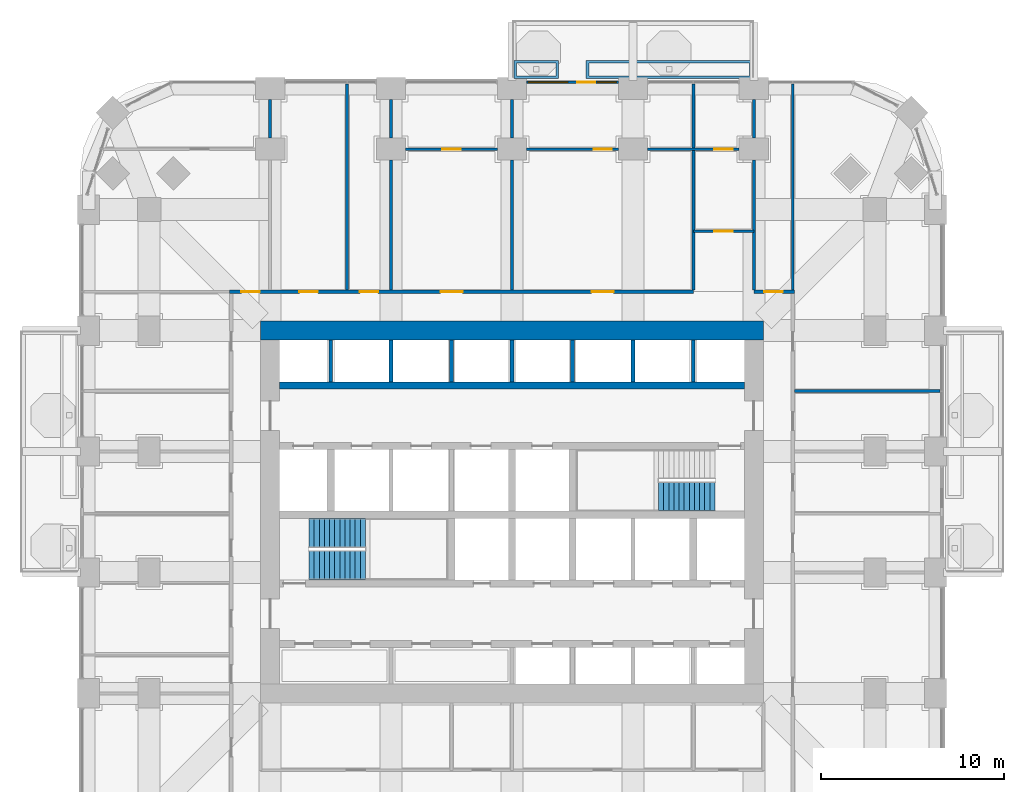
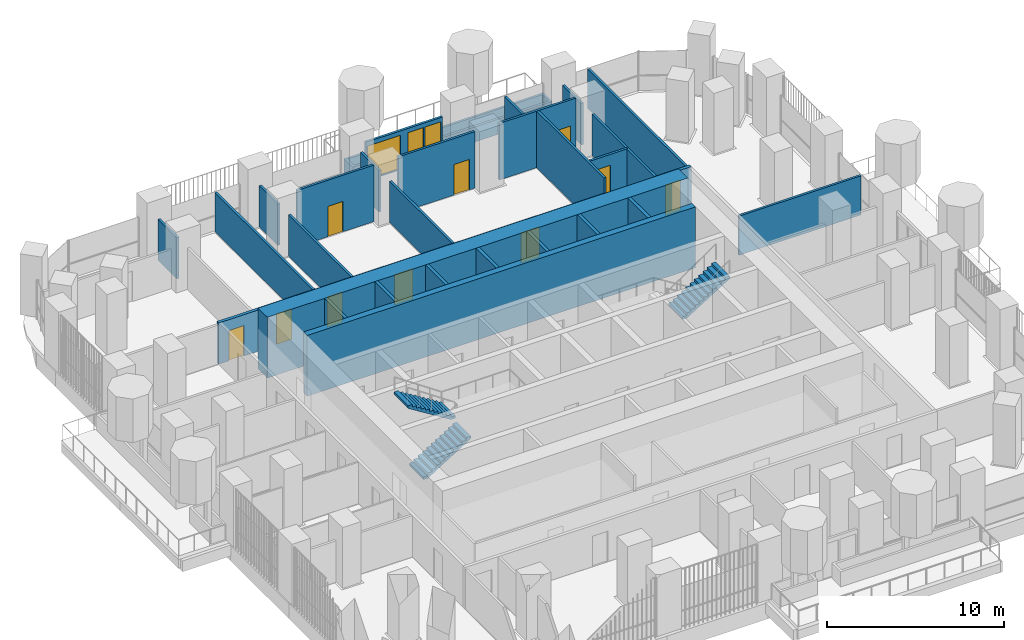
# One storey, part 17 of 23: 30 walls, 11 doors, 3 stair flights, 2 windows, 13 openings, 2 elements without a shape of their own.
"""IFC4 building model written with IfcOpenShell, lengths in metres."""

from ifc_helpers import new_model, si_unit, direction, frame, frame_2d, origin, place, context, subcontext, project, spatial, polyline, rectangle, outline, extrude, material, layer, layer_set, type_object, element, fill, aggregate, save


model = new_model("IFC4")

# Units and contexts
model_context = context("Model", 3, precision=1e-05, world=origin(), true_north=direction((0.0, 1.0)))
body_context = subcontext(model_context, "Body", "Model", "MODEL_VIEW")
ifc_project = project(units=[si_unit("LENGTHUNIT", "METRE"), si_unit("AREAUNIT", "SQUARE_METRE"), si_unit("VOLUMEUNIT", "CUBIC_METRE"), si_unit("PLANEANGLEUNIT", "RADIAN"), si_unit("MASSUNIT", "GRAM", prefix="KILO")], contexts=[model_context])

# Site, building, storey
site_placement = place(None, origin())
site = spatial("IfcSite", under=ifc_project, at=site_placement, CompositionType="ELEMENT")
building_placement = place(site_placement, origin())
building = spatial("IfcBuilding", under=site, at=building_placement, Name="Cobogo Forest Laboratory Tower", CompositionType="ELEMENT")
storey_placement = place(building_placement, frame((0.0, 0.0, 103.199951171875)))
storey = spatial("IfcBuildingStorey", under=building, at=storey_placement, Name="L23", CompositionType="ELEMENT", Elevation=103.199951171875)

# Walls
ifc_material_1 = material(Name="Concrete HA-50 (C50/60)", Category="concrete")
ifc_layer_1 = layer(ifc_material_1, 0.39990234375)
ifc_layer_set_1 = layer_set([ifc_layer_1], Name="CI400 core inner wall 400")
wall_type_1 = type_object("IfcWallType", Name="CI400 core inner wall 400", PredefinedType="SHEAR", material=ifc_layer_set_1)
wall_1_placement = place(storey_placement, frame((13.72509765625, 30.0, 0.0), z_axis=(0.0, 0.0, 1.0), x_axis=(1.0, 0.0, 0.0)))
element("IfcWall", 1, at=wall_1_placement, inside=storey, type_object=wall_type_1, Name="Core wall CI-30.0 L23", PredefinedType="SHEAR", context=body_context, shape_type="SweptSolid", body=[
    extrude(rectangle(XDim=25.349853515625, YDim=0.39990234375, at=frame_2d((12.6748046875, 0.0))), origin(), (0.0, 0.0, 1.0), 4.199951171875),
])
ifc_layer_2 = layer(ifc_material_1, 1.050048828125)
ifc_layer_set_2 = layer_set([ifc_layer_2], Name="CW1050 core outer wall 1050")
wall_type_2 = type_object("IfcWallType", Name="CW1050 core outer wall 1050", PredefinedType="SHEAR", material=ifc_layer_set_2)
wall_2_placement = place(storey_placement, frame((40.125, 33.0, 0.0), z_axis=(0.0, 0.0, 1.0), x_axis=(-1.0, 0.0, 0.0)))
element("IfcWall", 2, at=wall_2_placement, inside=storey, type_object=wall_type_2, Name="Core wall CO-N L23", PredefinedType="SHEAR", context=body_context, shape_type="SweptSolid", body=[
    extrude(rectangle(XDim=27.449951171875, YDim=1.050048828125, at=frame_2d((13.72509765625, 0.0))), origin(), (0.0, 0.0, 1.0), 4.199951171875),
])

# Wall, openings, door, windows
ifc_material_2 = material(Name="Aluminium framed glazed screen", Category="aluminium")
ifc_layer_3 = layer(ifc_material_2, 0.14990234375)
ifc_layer_set_3 = layer_set([ifc_layer_3], Name="GS1 glazed door screen 150")
wall_type_3 = type_object("IfcWallType", Name="GS1 glazed door screen 150", PredefinedType="SOLIDWALL", material=ifc_layer_set_3)
wall_3_placement = place(storey_placement, frame((32.199951171875, 46.550048828125, 0.0), z_axis=(0.0, 0.0, 1.0), x_axis=(-1.0, 0.0, 0.0)))
wall_3 = element("IfcWall", 3, at=wall_3_placement, inside=storey, type_object=wall_type_3, Name="Door screen BAL-N1 L23", PredefinedType="SOLIDWALL", context=body_context, shape_type="SweptSolid", body=[
    extrude(rectangle(XDim=5.0, YDim=0.14990234375, at=frame_2d((2.5, 0.0))), origin(), (0.0, 0.0, 1.0), 2.699951171875),
])
opening_1_placement = place(wall_3_placement, frame((1.25, 0.0, 0.0)))
opening_1 = element("IfcOpeningElement", 4, at=opening_1_placement, cuts=wall_3, Name="Opening L23-D48", PredefinedType="OPENING", context=body_context, shape_type="SweptSolid", body=[
    extrude(rectangle(XDim=1.0, YDim=2.39990234375, at=frame_2d((0.5, 1.199951171875))), frame((0.0, 0.0849609375, 0.0), z_axis=(0.0, -1.0, 0.0), x_axis=(1.0, 0.0, 0.0)), (0.0, 0.0, 1.0), 0.169921875),
])
opening_2_placement = place(wall_3_placement, frame((0.10009765625, 0.0, 0.10009765625)))
opening_2 = element("IfcOpeningElement", 5, at=opening_2_placement, cuts=wall_3, Name="Opening L23-W08", PredefinedType="OPENING", context=body_context, shape_type="SweptSolid", body=[
    extrude(rectangle(XDim=1.050048828125, YDim=2.300048828125, at=frame_2d((0.52490234375, 1.14990234375))), frame((0.0, 0.0849609375, 0.0), z_axis=(0.0, -1.0, 0.0), x_axis=(1.0, 0.0, 0.0)), (0.0, 0.0, 1.0), 0.169921875),
])
opening_3_placement = place(wall_3_placement, frame((2.75, 0.0, 0.10009765625)))
opening_3 = element("IfcOpeningElement", 6, at=opening_3_placement, cuts=wall_3, Name="Opening L23-W07", PredefinedType="OPENING", context=body_context, shape_type="SweptSolid", body=[
    extrude(rectangle(XDim=2.14990234375, YDim=2.300048828125, at=frame_2d((1.074951171875, 1.14990234375))), frame((0.0, 0.0849609375, 0.0), z_axis=(0.0, -1.0, 0.0), x_axis=(1.0, 0.0, 0.0)), (0.0, 0.0, 1.0), 0.169921875),
])
ifc_material_3 = material(Name="Aluminium glazed door", Category="aluminium")
door_type_1 = type_object("IfcDoorType", Name="DB1 balcony door 1000 glazed", OperationType="SINGLE_SWING_LEFT", PredefinedType="DOOR", material=ifc_material_3)
door_1_placement = place(opening_1_placement, origin())
door_1 = element("IfcDoor", 7, at=door_1_placement, inside=storey, type_object=door_type_1, Name="Door L23-BAL-N1", OperationType="SINGLE_SWING_LEFT", OverallHeight=2.39990234375, OverallWidth=1.0, PredefinedType="DOOR", context=body_context, shape_type="SweptSolid", body=[
    extrude(rectangle(XDim=1.0, YDim=2.39990234375, at=frame_2d((0.5, 1.199951171875))), frame((0.0, 0.02490234375, 0.0), z_axis=(0.0, -1.0, 0.0), x_axis=(1.0, 0.0, 0.0)), (0.0, 0.0, 1.0), 0.050048828125),
])
fill(opening_1, door_1)
ifc_material_4 = material(Name="Aluminium framed glazing", Category="aluminium")
window_type_1 = type_object("IfcWindowType", Name="WG13 fixed glazed light 2150x2300", PartitioningType="SINGLE_PANEL", PredefinedType="WINDOW", material=ifc_material_4)
window_1_placement = place(opening_3_placement, origin())
window_1 = element("IfcWindow", 8, at=window_1_placement, inside=storey, type_object=window_type_1, Name="Window L23-BAL-N1-2", OverallHeight=2.300048828125, OverallWidth=2.14990234375, PartitioningType="SINGLE_PANEL", PredefinedType="WINDOW", context=body_context, shape_type="SweptSolid", body=[
    extrude(rectangle(XDim=2.14990234375, YDim=2.300048828125, at=frame_2d((1.074951171875, 1.14990234375))), frame((0.0, 0.030029296875, 0.0), z_axis=(0.0, -1.0, 0.0), x_axis=(1.0, 0.0, 0.0)), (0.0, 0.0, 1.0), 0.06005859375),
])
fill(opening_3, window_1)
window_type_2 = type_object("IfcWindowType", Name="WG14 fixed glazed light 1050x2300", PartitioningType="SINGLE_PANEL", PredefinedType="WINDOW", material=ifc_material_4)
window_2_placement = place(opening_2_placement, origin())
window_2 = element("IfcWindow", 9, at=window_2_placement, inside=storey, type_object=window_type_2, Name="Window L23-BAL-N1-1", OverallHeight=2.300048828125, OverallWidth=1.050048828125, PartitioningType="SINGLE_PANEL", PredefinedType="WINDOW", context=body_context, shape_type="SweptSolid", body=[
    extrude(rectangle(XDim=1.050048828125, YDim=2.300048828125, at=frame_2d((0.52490234375, 1.14990234375))), frame((0.0, 0.030029296875, 0.0), z_axis=(0.0, -1.0, 0.0), x_axis=(1.0, 0.0, 0.0)), (0.0, 0.0, 1.0), 0.06005859375),
])
fill(opening_2, window_2)

# Walls
ifc_material_5 = material(Name="Gypsum board on steel studs", Category="steel")
ifc_layer_4 = layer(ifc_material_5, 0.14990234375)
ifc_layer_set_4 = layer_set([ifc_layer_4], Name="PT1 laboratory partition 150")
wall_type_4 = type_object("IfcWallType", Name="PT1 laboratory partition 150", PredefinedType="PARTITIONING", material=ifc_layer_set_4)
wall_4_placement = place(storey_placement, frame((41.72509765625, 46.469970703125, 0.0), z_axis=(0.0, 0.0, 1.0), x_axis=(0.0, -1.0, 0.0)))
element("IfcWall", 10, at=wall_4_placement, inside=storey, type_object=wall_type_4, Name="Partition PW-NE L23", PredefinedType="PARTITIONING", context=body_context, shape_type="SweptSolid", body=[
    extrude(rectangle(XDim=11.244873046875, YDim=0.14990234375, at=frame_2d((5.62255859375, 0.0))), origin(), (0.0, 0.0, 1.0), 2.699951171875),
])
wall_5_placement = place(storey_placement, frame((49.77001953125, 29.699951171875, 0.0), z_axis=(0.0, 0.0, 1.0), x_axis=(-1.0, 0.0, 0.0)))
element("IfcWall", 11, at=wall_5_placement, inside=storey, type_object=wall_type_4, Name="Partition CUT-E29.7-1 L23", PredefinedType="PARTITIONING", context=body_context, shape_type="SweptSolid", body=[
    extrude(rectangle(XDim=7.945068359375, YDim=0.14990234375, at=frame_2d((3.97265625, 0.0))), origin(), (0.0, 0.0, 1.0), 2.699951171875),
])

# Wall, opening, door
wall_6_placement = place(storey_placement, frame((38.800048828125, 42.89990234375, 0.0), z_axis=(0.0, 0.0, 1.0), x_axis=(-1.0, 0.0, 0.0)))
wall_6 = element("IfcWall", 12, at=wall_6_placement, inside=storey, type_object=wall_type_4, Name="Partition STRIP-N-1 L23", PredefinedType="PARTITIONING", context=body_context, shape_type="SweptSolid", body=[
    extrude(rectangle(XDim=5.0, YDim=0.14990234375, at=frame_2d((2.5, 0.0))), origin(), (0.0, 0.0, 1.0), 3.900146484375),
])
opening_4_placement = place(wall_6_placement, frame((0.35009765625, 0.0, 0.0)))
opening_4 = element("IfcOpeningElement", 13, at=opening_4_placement, cuts=wall_6, Name="Opening L23-D47", PredefinedType="OPENING", context=body_context, shape_type="SweptSolid", body=[
    extrude(rectangle(XDim=1.0, YDim=2.10009765625, at=frame_2d((0.5, 1.050048828125))), frame((0.0, 0.0849609375, 0.0), z_axis=(0.0, -1.0, 0.0), x_axis=(1.0, 0.0, 0.0)), (0.0, 0.0, 1.0), 0.169921875),
])
ifc_material_6 = material(Name="Timber fire door", Category="wood")
door_type_2 = type_object("IfcDoorType", Name="FD2 fire door 1000 EI2 30", OperationType="SINGLE_SWING_LEFT", PredefinedType="DOOR", material=ifc_material_6)
door_2_placement = place(opening_4_placement, origin())
door_2 = element("IfcDoor", 14, at=door_2_placement, inside=storey, type_object=door_type_2, Name="Door L23-N4W", OperationType="SINGLE_SWING_LEFT", OverallHeight=2.10009765625, OverallWidth=1.0, PredefinedType="DOOR", context=body_context, shape_type="SweptSolid", body=[
    extrude(rectangle(XDim=1.0, YDim=2.10009765625, at=frame_2d((0.5, 1.050048828125))), frame((0.0, 0.02490234375, 0.0), z_axis=(0.0, -1.0, 0.0), x_axis=(1.0, 0.0, 0.0)), (0.0, 0.0, 1.0), 0.050048828125),
])
fill(opening_4, door_2)

wall_7_placement = place(storey_placement, frame((32.199951171875, 42.89990234375, 0.0), z_axis=(0.0, 0.0, 1.0), x_axis=(-1.0, 0.0, 0.0)))
wall_7 = element("IfcWall", 15, at=wall_7_placement, inside=storey, type_object=wall_type_4, Name="Partition STRIP-N-2 L23", PredefinedType="PARTITIONING", context=body_context, shape_type="SweptSolid", body=[
    extrude(rectangle(XDim=5.0, YDim=0.14990234375, at=frame_2d((2.5, 0.0))), origin(), (0.0, 0.0, 1.0), 3.900146484375),
])
opening_5_placement = place(wall_7_placement, frame((0.35009765625, 0.0, 0.0)))
opening_5 = element("IfcOpeningElement", 16, at=opening_5_placement, cuts=wall_7, Name="Opening L23-D46", PredefinedType="OPENING", context=body_context, shape_type="SweptSolid", body=[
    extrude(rectangle(XDim=1.0, YDim=2.10009765625, at=frame_2d((0.5, 1.050048828125))), frame((0.0, 0.0849609375, 0.0), z_axis=(0.0, -1.0, 0.0), x_axis=(1.0, 0.0, 0.0)), (0.0, 0.0, 1.0), 0.169921875),
])
door_3_placement = place(opening_5_placement, origin())
door_3 = element("IfcDoor", 17, at=door_3_placement, inside=storey, type_object=door_type_2, Name="Door L23-N3W", OperationType="SINGLE_SWING_LEFT", OverallHeight=2.10009765625, OverallWidth=1.0, PredefinedType="DOOR", context=body_context, shape_type="SweptSolid", body=[
    extrude(rectangle(XDim=1.0, YDim=2.10009765625, at=frame_2d((0.5, 1.050048828125))), frame((0.0, 0.02490234375, 0.0), z_axis=(0.0, -1.0, 0.0), x_axis=(1.0, 0.0, 0.0)), (0.0, 0.0, 1.0), 0.050048828125),
])
fill(opening_5, door_3)

wall_8_placement = place(storey_placement, frame((25.60009765625, 42.89990234375, 0.0), z_axis=(0.0, 0.0, 1.0), x_axis=(-1.0, 0.0, 0.0)))
wall_8 = element("IfcWall", 18, at=wall_8_placement, inside=storey, type_object=wall_type_4, Name="Partition STRIP-N-3 L23", PredefinedType="PARTITIONING", context=body_context, shape_type="SweptSolid", body=[
    extrude(rectangle(XDim=5.0, YDim=0.14990234375, at=frame_2d((2.5, 0.0))), origin(), (0.0, 0.0, 1.0), 3.900146484375),
])
opening_6_placement = place(wall_8_placement, frame((2.0, 0.0, 0.0)))
opening_6 = element("IfcOpeningElement", 19, at=opening_6_placement, cuts=wall_8, Name="Opening L23-D45", PredefinedType="OPENING", context=body_context, shape_type="SweptSolid", body=[
    extrude(rectangle(XDim=1.0, YDim=2.10009765625, at=frame_2d((0.5, 1.050048828125))), frame((0.0, 0.0849609375, 0.0), z_axis=(0.0, -1.0, 0.0), x_axis=(1.0, 0.0, 0.0)), (0.0, 0.0, 1.0), 0.169921875),
])
door_4_placement = place(opening_6_placement, origin())
door_4 = element("IfcDoor", 20, at=door_4_placement, inside=storey, type_object=door_type_2, Name="Door L23-N2W", OperationType="SINGLE_SWING_RIGHT", OverallHeight=2.10009765625, OverallWidth=1.0, PredefinedType="DOOR", context=body_context, shape_type="SweptSolid", body=[
    extrude(rectangle(XDim=1.0, YDim=2.10009765625, at=frame_2d((0.5, 1.050048828125))), frame((0.0, 0.02490234375, 0.0), z_axis=(0.0, -1.0, 0.0), x_axis=(1.0, 0.0, 0.0)), (0.0, 0.0, 1.0), 0.050048828125),
])
fill(opening_6, door_4)

# Walls
wall_9_placement = place(storey_placement, frame((17.39990234375, 46.469970703125, 0.0), z_axis=(0.0, 0.0, 1.0), x_axis=(0.0, -1.0, 0.0)))
element("IfcWall", 21, at=wall_9_placement, inside=storey, type_object=wall_type_4, Name="Partition SVC-N1-1 L23", PredefinedType="PARTITIONING", context=body_context, shape_type="SweptSolid", body=[
    extrude(rectangle(XDim=11.244873046875, YDim=0.14990234375, at=frame_2d((5.62255859375, 0.0))), origin(), (0.0, 0.0, 1.0), 2.699951171875),
])
wall_10_placement = place(storey_placement, frame((19.800048828125, 45.60009765625, 0.0), z_axis=(0.0, 0.0, 1.0), x_axis=(0.0, -1.0, 0.0)))
element("IfcWall", 22, at=wall_10_placement, inside=storey, type_object=wall_type_4, Name="Partition SVC-N2-1 L23", PredefinedType="PARTITIONING", context=body_context, shape_type="SweptSolid", body=[
    extrude(rectangle(XDim=2.10009765625, YDim=0.14990234375, at=frame_2d((1.050048828125, 0.0))), origin(), (0.0, 0.0, 1.0), 2.85009765625),
])
wall_11_placement = place(storey_placement, frame((19.800048828125, 42.300048828125, 0.0), z_axis=(0.0, 0.0, 1.0), x_axis=(0.0, -1.0, 0.0)))
element("IfcWall", 23, at=wall_11_placement, inside=storey, type_object=wall_type_4, Name="Partition SVC-N2-2 L23", PredefinedType="PARTITIONING", context=body_context, shape_type="SweptSolid", body=[
    extrude(rectangle(XDim=7.074951171875, YDim=0.14990234375, at=frame_2d((3.53759765625, 0.0))), origin(), (0.0, 0.0, 1.0), 2.85009765625),
])

# Wall, opening, door
wall_12_placement = place(storey_placement, frame((36.300048828125, 38.425048828125, 0.0), z_axis=(0.0, 0.0, 1.0), x_axis=(1.0, 0.0, 0.0)))
wall_12 = element("IfcWall", 24, at=wall_12_placement, inside=storey, type_object=wall_type_4, Name="Partition NODE-N-1 L23", PredefinedType="PARTITIONING", context=body_context, shape_type="SweptSolid", body=[
    extrude(rectangle(XDim=3.300048828125, YDim=0.14990234375, at=frame_2d((1.64990234375, 0.0))), origin(), (0.0, 0.0, 1.0), 2.85009765625),
])
opening_7_placement = place(wall_12_placement, frame((1.14990234375, 0.0, 0.0)))
opening_7 = element("IfcOpeningElement", 25, at=opening_7_placement, cuts=wall_12, Name="Opening L23-D43", PredefinedType="OPENING", context=body_context, shape_type="SweptSolid", body=[
    extrude(rectangle(XDim=1.0, YDim=2.10009765625, at=frame_2d((0.5, 1.050048828125))), frame((0.0, 0.0849609375, 0.0), z_axis=(0.0, -1.0, 0.0), x_axis=(1.0, 0.0, 0.0)), (0.0, 0.0, 1.0), 0.169921875),
])
door_5_placement = place(opening_7_placement, origin())
door_5 = element("IfcDoor", 26, at=door_5_placement, inside=storey, type_object=door_type_2, Name="Door L23-N4", OperationType="SINGLE_SWING_RIGHT", OverallHeight=2.10009765625, OverallWidth=1.0, PredefinedType="DOOR", context=body_context, shape_type="SweptSolid", body=[
    extrude(rectangle(XDim=1.0, YDim=2.10009765625, at=frame_2d((0.5, 1.050048828125))), frame((0.0, 0.02490234375, 0.0), z_axis=(0.0, -1.0, 0.0), x_axis=(1.0, 0.0, 0.0)), (0.0, 0.0, 1.0), 0.050048828125),
])
fill(opening_7, door_5)

# Walls
for number, where, z_axis, x_axis, name in (
    (27, (13.199951171875, 45.60009765625, 0.0), (0.0, 0.0, 1.0), (0.0, -1.0, 0.0), "Partition CUT-N13.2-1 L23"),
    (28, (26.39990234375, 45.60009765625, 0.0), (0.0, 0.0, 1.0), (0.0, -1.0, 0.0), "Partition CUT-N26.4-1 L23"),
):
    element("IfcWall", number, at=place(storey_placement, frame(where, z_axis=z_axis, x_axis=x_axis)), inside=storey, type_object=wall_type_4, Name=name, PredefinedType="PARTITIONING", context=body_context, shape_type="SweptSolid", body=[
        extrude(rectangle(XDim=2.10009765625, YDim=0.14990234375, at=frame_2d((1.050048828125, 0.0))), origin(), (0.0, 0.0, 1.0), 2.85009765625),
    ])
wall_13_placement = place(storey_placement, frame((26.39990234375, 42.300048828125, 0.0), z_axis=(0.0, 0.0, 1.0), x_axis=(0.0, -1.0, 0.0)))
element("IfcWall", 29, at=wall_13_placement, inside=storey, type_object=wall_type_4, Name="Partition CUT-N26.4-2 L23", PredefinedType="PARTITIONING", context=body_context, shape_type="SweptSolid", body=[
    extrude(rectangle(XDim=7.074951171875, YDim=0.14990234375, at=frame_2d((3.53759765625, 0.0))), origin(), (0.0, 0.0, 1.0), 2.85009765625),
])
wall_14_placement = place(storey_placement, frame((36.300048828125, 46.469970703125, 0.0), z_axis=(0.0, 0.0, 1.0), x_axis=(0.0, -1.0, 0.0)))
element("IfcWall", 30, at=wall_14_placement, inside=storey, type_object=wall_type_4, Name="Partition CUT-N36.3a-1 L23", PredefinedType="PARTITIONING", context=body_context, shape_type="SweptSolid", body=[
    extrude(rectangle(XDim=3.494873046875, YDim=0.14990234375, at=frame_2d((1.74755859375, 0.0))), origin(), (0.0, 0.0, 1.0), 2.699951171875),
])
wall_15_placement = place(storey_placement, frame((36.300048828125, 42.824951171875, 0.0), z_axis=(0.0, 0.0, 1.0), x_axis=(0.0, -1.0, 0.0)))
element("IfcWall", 31, at=wall_15_placement, inside=storey, type_object=wall_type_4, Name="Partition CUT-N36.3b-1 L23", PredefinedType="PARTITIONING", context=body_context, shape_type="SweptSolid", body=[
    extrude(rectangle(XDim=7.599853515625, YDim=0.14990234375, at=frame_2d((3.7998046875, 0.0))), origin(), (0.0, 0.0, 1.0), 3.900146484375),
])
wall_16_placement = place(storey_placement, frame((39.60009765625, 45.60009765625, 0.0), z_axis=(0.0, 0.0, 1.0), x_axis=(0.0, -1.0, 0.0)))
element("IfcWall", 32, at=wall_16_placement, inside=storey, type_object=wall_type_4, Name="Partition CUT-N39.6-1 L23", PredefinedType="PARTITIONING", context=body_context, shape_type="SweptSolid", body=[
    extrude(rectangle(XDim=2.10009765625, YDim=0.14990234375, at=frame_2d((1.050048828125, 0.0))), origin(), (0.0, 0.0, 1.0), 2.85009765625),
])
wall_17_placement = place(storey_placement, frame((39.60009765625, 42.300048828125, 0.0), z_axis=(0.0, 0.0, 1.0), x_axis=(0.0, -1.0, 0.0)))
element("IfcWall", 33, at=wall_17_placement, inside=storey, type_object=wall_type_4, Name="Partition CUT-N39.6-2 L23", PredefinedType="PARTITIONING", context=body_context, shape_type="SweptSolid", body=[
    extrude(rectangle(XDim=7.074951171875, YDim=0.14990234375, at=frame_2d((3.53759765625, 0.0))), origin(), (0.0, 0.0, 1.0), 2.85009765625),
])

# Wall, openings, doors
ifc_layer_5 = layer(ifc_material_5, 0.199951171875)
ifc_layer_set_5 = layer_set([ifc_layer_5], Name="PT2 fire-rated corridor partition 200")
wall_type_5 = type_object("IfcWallType", Name="PT2 fire-rated corridor partition 200", PredefinedType="PARTITIONING", material=ifc_layer_set_5)
wall_18_placement = place(storey_placement, frame((10.97509765625, 35.125, 0.0), z_axis=(0.0, 0.0, 1.0), x_axis=(1.0, 0.0, 0.0)))
wall_18 = element("IfcWall", 34, at=wall_18_placement, inside=storey, type_object=wall_type_5, Name="Partition CORR-N-1 L23", PredefinedType="PARTITIONING", context=body_context, shape_type="SweptSolid", body=[
    extrude(rectangle(XDim=25.324951171875, YDim=0.199951171875, at=frame_2d((12.66259765625, 0.0))), origin(), (0.0, 0.0, 1.0), 2.85009765625),
])
opening_8_placement = place(wall_18_placement, frame((0.66259765625, 0.0, 0.0)))
opening_8 = element("IfcOpeningElement", 35, at=opening_8_placement, cuts=wall_18, Name="Opening L23-D37", PredefinedType="OPENING", context=body_context, shape_type="SweptSolid", body=[
    extrude(rectangle(XDim=1.0, YDim=2.10009765625, at=frame_2d((0.5, 1.050048828125))), frame((0.0, 0.10986328125, 0.0), z_axis=(0.0, -1.0, 0.0), x_axis=(1.0, 0.0, 0.0)), (0.0, 0.0, 1.0), 0.219970703125),
])
opening_9_placement = place(wall_18_placement, frame((3.824951171875, 0.0, 0.0)))
opening_9 = element("IfcOpeningElement", 36, at=opening_9_placement, cuts=wall_18, Name="Opening L23-D38", PredefinedType="OPENING", context=body_context, shape_type="SweptSolid", body=[
    extrude(rectangle(XDim=1.0, YDim=2.10009765625, at=frame_2d((0.5, 1.050048828125))), frame((0.0, 0.10986328125, 0.0), z_axis=(0.0, -1.0, 0.0), x_axis=(1.0, 0.0, 0.0)), (0.0, 0.0, 1.0), 0.219970703125),
])
opening_10_placement = place(wall_18_placement, frame((7.125, 0.0, 0.0)))
opening_10 = element("IfcOpeningElement", 37, at=opening_10_placement, cuts=wall_18, Name="Opening L23-D39", PredefinedType="OPENING", context=body_context, shape_type="SweptSolid", body=[
    extrude(rectangle(XDim=1.0, YDim=2.10009765625, at=frame_2d((0.5, 1.050048828125))), frame((0.0, 0.10986328125, 0.0), z_axis=(0.0, -1.0, 0.0), x_axis=(1.0, 0.0, 0.0)), (0.0, 0.0, 1.0), 0.219970703125),
])
opening_11_placement = place(wall_18_placement, frame((11.52490234375, 0.0, 0.0)))
opening_11 = element("IfcOpeningElement", 38, at=opening_11_placement, cuts=wall_18, Name="Opening L23-D40", PredefinedType="OPENING", context=body_context, shape_type="SweptSolid", body=[
    extrude(rectangle(XDim=1.199951171875, YDim=2.10009765625, at=frame_2d((0.60009765625, 1.050048828125))), frame((0.0, 0.10986328125, 0.0), z_axis=(0.0, -1.0, 0.0), x_axis=(1.0, 0.0, 0.0)), (0.0, 0.0, 1.0), 0.219970703125),
])
opening_12_placement = place(wall_18_placement, frame((19.77490234375, 0.0, 0.0)))
opening_12 = element("IfcOpeningElement", 39, at=opening_12_placement, cuts=wall_18, Name="Opening L23-D41", PredefinedType="OPENING", context=body_context, shape_type="SweptSolid", body=[
    extrude(rectangle(XDim=1.199951171875, YDim=2.10009765625, at=frame_2d((0.60009765625, 1.050048828125))), frame((0.0, 0.10986328125, 0.0), z_axis=(0.0, -1.0, 0.0), x_axis=(1.0, 0.0, 0.0)), (0.0, 0.0, 1.0), 0.219970703125),
])
ifc_material_7 = material(Name="Timber door", Category="wood")
door_type_3 = type_object("IfcDoorType", Name="D2 laboratory door 1200 unequal pair", OperationType="DOUBLE_DOOR_SINGLE_SWING", PredefinedType="DOOR", material=ifc_material_7)
door_6_placement = place(opening_11_placement, origin())
door_6 = element("IfcDoor", 40, at=door_6_placement, inside=storey, type_object=door_type_3, Name="Door L23-N2", OperationType="DOUBLE_DOOR_SINGLE_SWING", OverallHeight=2.10009765625, OverallWidth=1.199951171875, PredefinedType="DOOR", context=body_context, shape_type="SweptSolid", body=[
    extrude(rectangle(XDim=1.199951171875, YDim=2.10009765625, at=frame_2d((0.60009765625, 1.050048828125))), frame((0.0, 0.02490234375, 0.0), z_axis=(0.0, -1.0, 0.0), x_axis=(1.0, 0.0, 0.0)), (0.0, 0.0, 1.0), 0.050048828125),
])
fill(opening_11, door_6)
door_7_placement = place(opening_12_placement, origin())
door_7 = element("IfcDoor", 41, at=door_7_placement, inside=storey, type_object=door_type_3, Name="Door L23-N3", OperationType="DOUBLE_DOOR_SINGLE_SWING", OverallHeight=2.10009765625, OverallWidth=1.199951171875, PredefinedType="DOOR", context=body_context, shape_type="SweptSolid", body=[
    extrude(rectangle(XDim=1.199951171875, YDim=2.10009765625, at=frame_2d((0.60009765625, 1.050048828125))), frame((0.0, 0.02490234375, 0.0), z_axis=(0.0, -1.0, 0.0), x_axis=(1.0, 0.0, 0.0)), (0.0, 0.0, 1.0), 0.050048828125),
])
fill(opening_12, door_7)
door_8_placement = place(opening_8_placement, origin())
door_8 = element("IfcDoor", 42, at=door_8_placement, inside=storey, type_object=door_type_2, Name="Door L23-N1", OperationType="SINGLE_SWING_LEFT", OverallHeight=2.10009765625, OverallWidth=1.0, PredefinedType="DOOR", context=body_context, shape_type="SweptSolid", body=[
    extrude(rectangle(XDim=1.0, YDim=2.10009765625, at=frame_2d((0.5, 1.050048828125))), frame((0.0, 0.02490234375, 0.0), z_axis=(0.0, -1.0, 0.0), x_axis=(1.0, 0.0, 0.0)), (0.0, 0.0, 1.0), 0.050048828125),
])
fill(opening_8, door_8)
door_9_placement = place(opening_9_placement, origin())
door_9 = element("IfcDoor", 43, at=door_9_placement, inside=storey, type_object=door_type_2, Name="Door L23-MTG", OperationType="SINGLE_SWING_LEFT", OverallHeight=2.10009765625, OverallWidth=1.0, PredefinedType="DOOR", context=body_context, shape_type="SweptSolid", body=[
    extrude(rectangle(XDim=1.0, YDim=2.10009765625, at=frame_2d((0.5, 1.050048828125))), frame((0.0, 0.02490234375, 0.0), z_axis=(0.0, -1.0, 0.0), x_axis=(1.0, 0.0, 0.0)), (0.0, 0.0, 1.0), 0.050048828125),
])
fill(opening_9, door_9)
door_10_placement = place(opening_10_placement, origin())
door_10 = element("IfcDoor", 44, at=door_10_placement, inside=storey, type_object=door_type_2, Name="Door L23-PAN", OperationType="SINGLE_SWING_LEFT", OverallHeight=2.10009765625, OverallWidth=1.0, PredefinedType="DOOR", context=body_context, shape_type="SweptSolid", body=[
    extrude(rectangle(XDim=1.0, YDim=2.10009765625, at=frame_2d((0.5, 1.050048828125))), frame((0.0, 0.02490234375, 0.0), z_axis=(0.0, -1.0, 0.0), x_axis=(1.0, 0.0, 0.0)), (0.0, 0.0, 1.0), 0.050048828125),
])
fill(opening_10, door_10)

# Wall, opening, door
wall_19_placement = place(storey_placement, frame((39.60009765625, 35.125, 0.0), z_axis=(0.0, 0.0, 1.0), x_axis=(1.0, 0.0, 0.0)))
wall_19 = element("IfcWall", 45, at=wall_19_placement, inside=storey, type_object=wall_type_5, Name="Partition CORR-N-2 L23", PredefinedType="PARTITIONING", context=body_context, shape_type="SweptSolid", body=[
    extrude(rectangle(XDim=2.224853515625, YDim=0.199951171875, at=frame_2d((1.1123046875, 0.0))), origin(), (0.0, 0.0, 1.0), 2.85009765625),
])
opening_13_placement = place(wall_19_placement, frame((0.5625, 0.0, 0.0)))
opening_13 = element("IfcOpeningElement", 46, at=opening_13_placement, cuts=wall_19, Name="Opening L23-D42", PredefinedType="OPENING", context=body_context, shape_type="SweptSolid", body=[
    extrude(rectangle(XDim=1.0, YDim=2.10009765625, at=frame_2d((0.5, 1.050048828125))), frame((0.0, 0.10986328125, 0.0), z_axis=(0.0, -1.0, 0.0), x_axis=(1.0, 0.0, 0.0)), (0.0, 0.0, 1.0), 0.219970703125),
])
door_11_placement = place(opening_13_placement, origin())
door_11 = element("IfcDoor", 47, at=door_11_placement, inside=storey, type_object=door_type_2, Name="Door L23-N5", OperationType="SINGLE_SWING_LEFT", OverallHeight=2.10009765625, OverallWidth=1.0, PredefinedType="DOOR", context=body_context, shape_type="SweptSolid", body=[
    extrude(rectangle(XDim=1.0, YDim=2.10009765625, at=frame_2d((0.5, 1.050048828125))), frame((0.0, 0.02490234375, 0.0), z_axis=(0.0, -1.0, 0.0), x_axis=(1.0, 0.0, 0.0)), (0.0, 0.0, 1.0), 0.050048828125),
])
fill(opening_13, door_11)

# Walls
ifc_material_8 = material(Name="Concrete HA-40 (C40/50)", Category="concrete")
ifc_layer_6 = layer(ifc_material_8, 0.14990234375)
ifc_layer_set_6 = layer_set([ifc_layer_6], Name="Planter box 1000x1050")
wall_type_6 = type_object("IfcWallType", Name="Planter box 1000x1050", PredefinedType="USERDEFINED", material=ifc_layer_set_6)
wall_20_placement = place(storey_placement, origin())
element("IfcWall", 48, at=wall_20_placement, inside=storey, type_object=wall_type_6, Name="Planter BAL-N1-1 L23", ObjectType="PLANTER", PredefinedType="USERDEFINED", context=body_context, shape_type="SweptSolid", body=[
    extrude(outline(polyline([(26.5, 46.75), (28.949951171875, 46.75), (28.949951171875, 47.75), (26.5, 47.75), (26.5, 46.75)]), holes=[polyline([(26.64990234375, 46.89990234375), (28.800048828125, 46.89990234375), (28.800048828125, 47.60009765625), (26.64990234375, 47.60009765625), (26.64990234375, 46.89990234375)])]), origin(), (0.0, 0.0, 1.0), 1.050048828125),
])
wall_21_placement = place(storey_placement, origin())
element("IfcWall", 49, at=wall_21_placement, inside=storey, type_object=wall_type_6, Name="Planter BAL-N1-2 L23", ObjectType="PLANTER", PredefinedType="USERDEFINED", context=body_context, shape_type="SweptSolid", body=[
    extrude(outline(polyline([(30.449951171875, 46.75), (39.5, 46.75), (39.5, 47.75), (30.449951171875, 47.75), (30.449951171875, 46.75)]), holes=[polyline([(30.60009765625, 46.89990234375), (39.35009765625, 46.89990234375), (39.35009765625, 47.60009765625), (30.60009765625, 47.60009765625), (30.60009765625, 46.89990234375)])]), origin(), (0.0, 0.0, 1.0), 1.050048828125),
])
ifc_material_9 = material(Name="Concrete block", Category="concrete")
ifc_layer_7 = layer(ifc_material_9, 0.199951171875)
ifc_layer_set_7 = layer_set([ifc_layer_7], Name="SW200 lift shaft separator 200")
wall_type_7 = type_object("IfcWallType", Name="SW200 lift shaft separator 200", PredefinedType="PARTITIONING", material=ifc_layer_set_7)
for number, where, z_axis, x_axis, name in (
    (50, (16.5, 30.199951171875, 0.0), (0.0, 0.0, 1.0), (0.0, 1.0, 0.0), "Core wall SEP-N1 L23"),
    (51, (19.800048828125, 30.199951171875, 0.0), (0.0, 0.0, 1.0), (0.0, 1.0, 0.0), "Core wall SEP-N2 L23"),
    (52, (23.10009765625, 30.199951171875, 0.0), (0.0, 0.0, 1.0), (0.0, 1.0, 0.0), "Core wall SEP-N3 L23"),
    (53, (26.39990234375, 30.199951171875, 0.0), (0.0, 0.0, 1.0), (0.0, 1.0, 0.0), "Core wall SEP-N4 L23"),
    (54, (29.699951171875, 30.199951171875, 0.0), (0.0, 0.0, 1.0), (0.0, 1.0, 0.0), "Core wall SEP-N5 L23"),
    (55, (33.0, 30.199951171875, 0.0), (0.0, 0.0, 1.0), (0.0, 1.0, 0.0), "Core wall SEP-N6 L23"),
    (56, (36.300048828125, 30.199951171875, 0.0), (0.0, 0.0, 1.0), (0.0, 1.0, 0.0), "Core wall SEP-N7 L23"),
):
    element("IfcWall", number, at=place(storey_placement, frame(where, z_axis=z_axis, x_axis=x_axis)), inside=storey, type_object=wall_type_7, Name=name, PredefinedType="PARTITIONING", context=body_context, shape_type="SweptSolid", body=[
        extrude(rectangle(XDim=2.275146484375, YDim=0.199951171875, at=frame_2d((1.1376953125, 0.0))), origin(), (0.0, 0.0, 1.0), 4.199951171875),
    ])

# Stair, stair flights
ifc_material_10 = material(Name="Precast concrete HA-40 (C40/50)", Category="concrete")
stair_type = type_object("IfcStairType", Name="ST24 exit stair 24 risers", PredefinedType="HALF_TURN_STAIR", material=ifc_material_10)
stair_1_placement = place(storey_placement, origin())
stair_1 = element("IfcStair", 57, at=stair_1_placement, inside=storey, type_object=stair_type, Name="Stair 1 L23 to L24", PredefinedType="HALF_TURN_STAIR")
stair_flight_type = type_object("IfcStairFlightType", Name="ST stair flight 280 going", PredefinedType="STRAIGHT", material=ifc_material_10)
stair_flight_1_placement = place(storey_placement, frame((15.324951171875, 20.199951171875, 0.0), z_axis=(0.0, 0.0, 1.0), x_axis=(1.0, 0.0, 0.0)))
stair_flight_1 = element("IfcStairFlight", 58, at=stair_flight_1_placement, type_object=stair_flight_type, Name="ST1 flight 1", NumberOfRisers=12, NumberOfTreads=11, PredefinedType="STRAIGHT", RiserHeight=0.175, TreadLength=0.28, context=body_context, shape_type="SweptSolid", body=[
    extrude(outline(polyline([(0.0, 0.0), (0.0, 0.175048828125), (0.280029296875, 0.175048828125), (0.280029296875, 0.35009765625), (0.56005859375, 0.35009765625), (0.56005859375, 0.52490234375), (0.840087890625, 0.52490234375), (0.840087890625, 0.699951171875), (1.1201171875, 0.699951171875), (1.1201171875, 0.875), (1.39990234375, 0.875), (1.39990234375, 1.050048828125), (1.679931640625, 1.050048828125), (1.679931640625, 1.22509765625), (1.9599609375, 1.22509765625), (1.9599609375, 1.39990234375), (2.239990234375, 1.39990234375), (2.239990234375, 1.574951171875), (2.52001953125, 1.574951171875), (2.52001953125, 1.75), (2.800048828125, 1.75), (2.800048828125, 1.925048828125), (3.080078125, 1.925048828125), (3.080078125, 2.10009765625), (3.080078125, 1.748291015625), (0.28271484375, 0.0), (0.0, 0.0)])), frame((0.0, 0.800048828125, 0.0), z_axis=(0.0, -1.0, 0.0), x_axis=(1.0, 0.0, 0.0)), (0.0, 0.0, 1.0), 1.60009765625),
])
stair_flight_2_placement = place(storey_placement, frame((18.405029296875, 21.949951171875, 2.10009765625), z_axis=(0.0, 0.0, 1.0), x_axis=(-1.0, 0.0, 0.0)))
stair_flight_2 = element("IfcStairFlight", 59, at=stair_flight_2_placement, type_object=stair_flight_type, Name="ST1 flight 2", NumberOfRisers=12, NumberOfTreads=11, PredefinedType="STRAIGHT", RiserHeight=0.175, TreadLength=0.28, context=body_context, shape_type="SweptSolid", body=[
    extrude(outline(polyline([(0.0, 0.0), (0.0, 0.175048828125), (0.280029296875, 0.175048828125), (0.280029296875, 0.35009765625), (0.56005859375, 0.35009765625), (0.56005859375, 0.52490234375), (0.840087890625, 0.52490234375), (0.840087890625, 0.699951171875), (1.1201171875, 0.699951171875), (1.1201171875, 0.875), (1.39990234375, 0.875), (1.39990234375, 1.050048828125), (1.679931640625, 1.050048828125), (1.679931640625, 1.22509765625), (1.9599609375, 1.22509765625), (1.9599609375, 1.39990234375), (2.239990234375, 1.39990234375), (2.239990234375, 1.574951171875), (2.52001953125, 1.574951171875), (2.52001953125, 1.75), (2.800048828125, 1.75), (2.800048828125, 1.925048828125), (3.080078125, 1.925048828125), (3.080078125, 2.10009765625), (3.080078125, 1.748291015625), (0.28271484375, 0.0), (0.0, 0.0)])), frame((0.0, 0.800048828125, 0.0), z_axis=(0.0, -1.0, 0.0), x_axis=(1.0, 0.0, 0.0)), (0.0, 0.0, 1.0), 1.60009765625),
])
aggregate(stair_1, [stair_flight_1, stair_flight_2])

# Stair, stair flight
stair_2_placement = place(storey_placement, origin())
stair_2 = element("IfcStair", 60, at=stair_2_placement, inside=storey, type_object=stair_type, Name="Stair 2 L23 to L24", PredefinedType="HALF_TURN_STAIR")
stair_flight_3_placement = place(storey_placement, frame((34.39501953125, 23.949951171875, 2.10009765625), z_axis=(0.0, 0.0, 1.0), x_axis=(1.0, 0.0, 0.0)))
stair_flight_3 = element("IfcStairFlight", 61, at=stair_flight_3_placement, type_object=stair_flight_type, Name="ST2 flight 2", NumberOfRisers=12, NumberOfTreads=11, PredefinedType="STRAIGHT", RiserHeight=0.175, TreadLength=0.28, context=body_context, shape_type="SweptSolid", body=[
    extrude(outline(polyline([(0.0, 0.0), (0.0, 0.175048828125), (0.280029296875, 0.175048828125), (0.280029296875, 0.35009765625), (0.56005859375, 0.35009765625), (0.56005859375, 0.52490234375), (0.840087890625, 0.52490234375), (0.840087890625, 0.699951171875), (1.1201171875, 0.699951171875), (1.1201171875, 0.875), (1.39990234375, 0.875), (1.39990234375, 1.050048828125), (1.679931640625, 1.050048828125), (1.679931640625, 1.22509765625), (1.9599609375, 1.22509765625), (1.9599609375, 1.39990234375), (2.239990234375, 1.39990234375), (2.239990234375, 1.574951171875), (2.52001953125, 1.574951171875), (2.52001953125, 1.75), (2.800048828125, 1.75), (2.800048828125, 1.925048828125), (3.080078125, 1.925048828125), (3.080078125, 2.10009765625), (3.080078125, 1.748291015625), (0.28271484375, 0.0), (0.0, 0.0)])), frame((0.0, 0.800048828125, 0.0), z_axis=(0.0, -1.0, 0.0), x_axis=(1.0, 0.0, 0.0)), (0.0, 0.0, 1.0), 1.60009765625),
])
aggregate(stair_2, [stair_flight_3])

save(model, "model.ifc")
